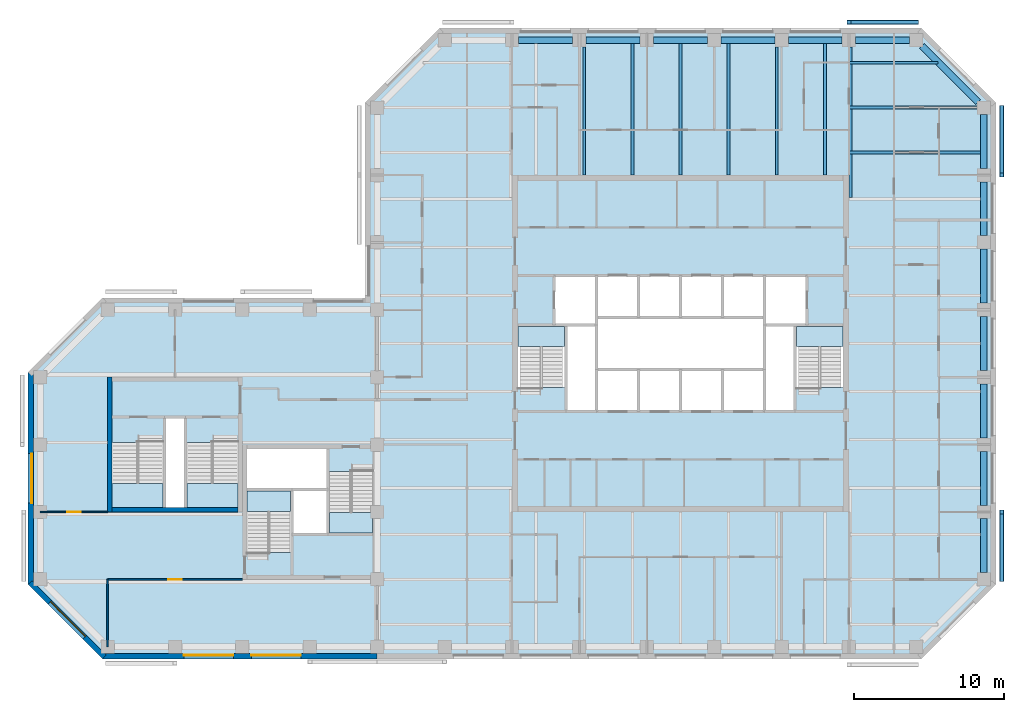
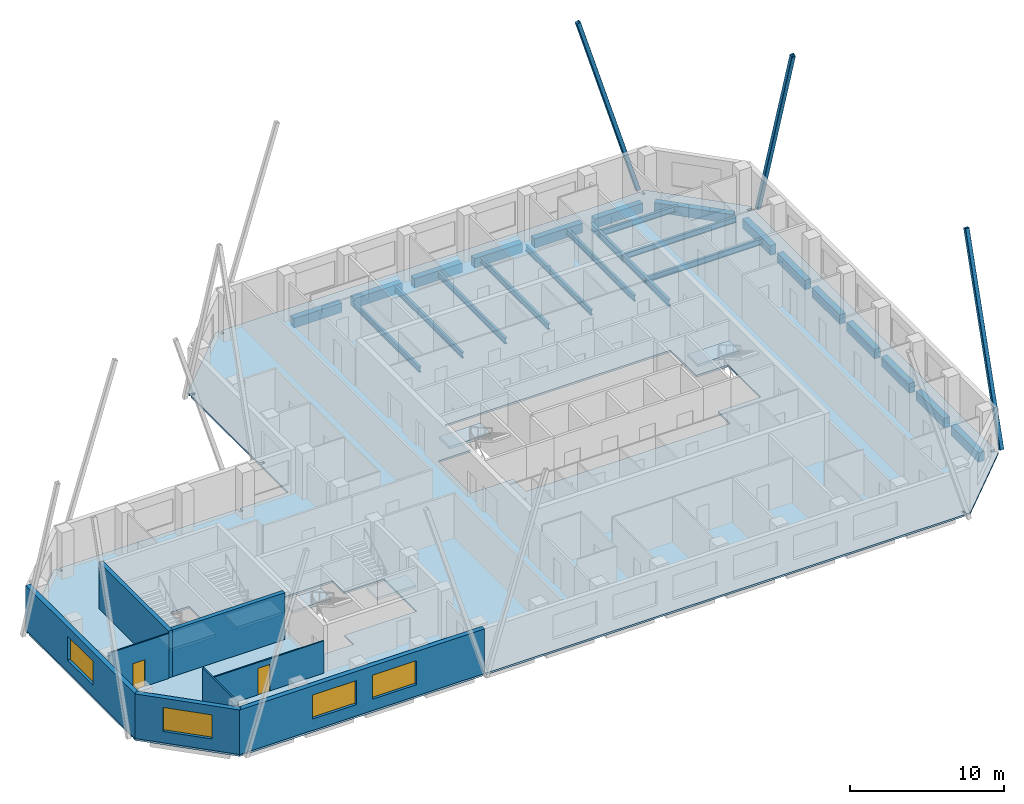
# One storey, part 2 of 10: 24 beams, 8 walls, 7 slabs, 4 windows, 3 members, 2 doors, 6 openings, 6 elements without a shape of their own.
"""IFC4 building model written with IfcOpenShell, lengths in metres."""

from ifc_helpers import new_model, si_unit, direction, frame, frame_2d, origin, origin_2d, place, context, subcontext, project, spatial, polyline, rectangle, hollow_rectangle, i_section, outline, extrude, material, layer, layer_set, constituent, constituent_set, material_profile, profile_set, type_object, element, fill, aggregate, save


model = new_model("IFC4")

# Units and contexts
model_context = context("Model", 3, precision=1e-05, world=origin(), true_north=direction((0.0, 1.0)))
body_context = subcontext(model_context, "Body", "Model", "MODEL_VIEW")
ifc_project = project(units=[si_unit("LENGTHUNIT", "METRE"), si_unit("AREAUNIT", "SQUARE_METRE"), si_unit("VOLUMEUNIT", "CUBIC_METRE"), si_unit("PLANEANGLEUNIT", "RADIAN"), si_unit("MASSUNIT", "GRAM", prefix="KILO")], contexts=[model_context])

# Site, building, storey
site_placement = place(None, origin())
site = spatial("IfcSite", under=ifc_project, at=site_placement, CompositionType="ELEMENT")
building_placement = place(site_placement, origin())
building = spatial("IfcBuilding", under=site, at=building_placement, Name="Quoin Convention Tower", CompositionType="ELEMENT")
storey_placement = place(building_placement, frame((0.0, 0.0, 188.39990234375)))
storey = spatial("IfcBuildingStorey", under=building, at=storey_placement, Name="L49", CompositionType="ELEMENT", Elevation=188.39990234375)

# Beams
ifc_material_1 = material(Name="Steel Grade 300", Category="steel")
ifc_material_profile_1 = material_profile(ifc_material_1, i_section(OverallWidth=0.18994140625, OverallDepth=0.4541015625, WebThickness=0.008544921875, FlangeThickness=0.0126953125, FilletRadius=0.011474609375, at=origin_2d()), Name="460UB67.1")
ifc_profile_set_1 = profile_set([ifc_material_profile_1], Name="Steel Grade 300")
beam_type_1 = type_object("IfcBeamType", Name="460UB67.1", PredefinedType="BEAM", material=ifc_profile_set_1)
beam_1_placement = place(storey_placement, frame((49.8212890625, 72.0, -0.376953125), z_axis=(0.0, 1.0, 0.0), x_axis=(-1.0, 0.0, 0.0)))
element("IfcBeam", 1, at=beam_1_placement, inside=storey, type_object=beam_type_1, Name="bm-L49-T1N1", PredefinedType="BEAM", context=body_context, shape_type="SweptSolid", body=[
    extrude(i_section(OverallWidth=0.18994140625, OverallDepth=0.4541015625, WebThickness=0.008544921875, FlangeThickness=0.0126953125, FilletRadius=0.011474609375, at=origin_2d()), origin(), (0.0, 0.0, 1.0), 8.550048828125),
])
for number, where, z_axis, x_axis, name in (
    (2, (53.03564453125, 72.0, -0.376953125), (0.0, 1.0, 0.0), (-1.0, 0.0, 0.0), "bm-L49-T1N2"),
    (3, (56.25, 72.0, -0.376953125), (0.0, 1.0, 0.0), (-1.0, 0.0, 0.0), "bm-L49-T1N3"),
    (4, (59.46435546875, 72.0, -0.376953125), (0.0, 1.0, 0.0), (-1.0, 0.0, 0.0), "bm-L49-T1N4"),
):
    element("IfcBeam", number, at=place(storey_placement, frame(where, z_axis=z_axis, x_axis=x_axis)), inside=storey, type_object=beam_type_1, Name=name, PredefinedType="BEAM", context=body_context, shape_type="SweptSolid", body=[
        extrude(i_section(OverallWidth=0.18994140625, OverallDepth=0.4541015625, WebThickness=0.008544921875, FlangeThickness=0.0126953125, FilletRadius=0.011474609375, at=origin_2d()), origin(), (0.0, 0.0, 1.0), 8.77490234375),
    ])
beam_2_placement = place(storey_placement, frame((62.6787109375, 72.0, -0.376953125), z_axis=(0.0, 1.0, 0.0), x_axis=(-1.0, 0.0, 0.0)))
element("IfcBeam", 5, at=beam_2_placement, inside=storey, type_object=beam_type_1, Name="bm-L49-T1N5", PredefinedType="BEAM", context=body_context, shape_type="SweptSolid", body=[
    extrude(i_section(OverallWidth=0.18994140625, OverallDepth=0.4541015625, WebThickness=0.008544921875, FlangeThickness=0.0126953125, FilletRadius=0.011474609375, at=origin_2d()), origin(), (0.0, 0.0, 1.0), 8.550048828125),
])
beam_3_placement = place(storey_placement, frame((65.892822265625, 72.0, -0.376953125), z_axis=(0.0, 1.0, 0.0), x_axis=(-1.0, 0.0, 0.0)))
element("IfcBeam", 6, at=beam_3_placement, inside=storey, type_object=beam_type_1, Name="bm-L49-T1N6", PredefinedType="BEAM", context=body_context, shape_type="SweptSolid", body=[
    extrude(i_section(OverallWidth=0.18994140625, OverallDepth=0.4541015625, WebThickness=0.008544921875, FlangeThickness=0.0126953125, FilletRadius=0.011474609375, at=origin_2d()), origin(), (0.0, 0.0, 1.0), 8.77490234375),
])
beam_4_placement = place(storey_placement, frame((67.5, 79.5, -0.376953125), z_axis=(1.0, 0.0, 0.0), x_axis=(0.0, 1.0, 0.0)))
element("IfcBeam", 7, at=beam_4_placement, inside=storey, type_object=beam_type_1, Name="bm-L49-T1NE0", PredefinedType="BEAM", context=body_context, shape_type="SweptSolid", body=[
    extrude(i_section(OverallWidth=0.18994140625, OverallDepth=0.4541015625, WebThickness=0.008544921875, FlangeThickness=0.0126953125, FilletRadius=0.011474609375, at=origin_2d()), origin(), (0.0, 0.0, 1.0), 5.935791015625),
])
beam_5_placement = place(storey_placement, frame((67.5, 76.5, -0.376953125), z_axis=(1.0, 0.0, 0.0), x_axis=(0.0, 1.0, 0.0)))
element("IfcBeam", 8, at=beam_5_placement, inside=storey, type_object=beam_type_1, Name="bm-L49-T1NE1", PredefinedType="BEAM", context=body_context, shape_type="SweptSolid", body=[
    extrude(i_section(OverallWidth=0.18994140625, OverallDepth=0.4541015625, WebThickness=0.008544921875, FlangeThickness=0.0126953125, FilletRadius=0.011474609375, at=origin_2d()), origin(), (0.0, 0.0, 1.0), 8.550048828125),
])
beam_6_placement = place(storey_placement, frame((67.5, 73.5, -0.376953125), z_axis=(1.0, 0.0, 0.0), x_axis=(0.0, 1.0, 0.0)))
element("IfcBeam", 9, at=beam_6_placement, inside=storey, type_object=beam_type_1, Name="bm-L49-T1NE2", PredefinedType="BEAM", context=body_context, shape_type="SweptSolid", body=[
    extrude(i_section(OverallWidth=0.18994140625, OverallDepth=0.4541015625, WebThickness=0.008544921875, FlangeThickness=0.0126953125, FilletRadius=0.011474609375, at=origin_2d()), origin(), (0.0, 0.0, 1.0), 8.77490234375),
])
ifc_material_profile_2 = material_profile(ifc_material_1, i_section(OverallWidth=0.208984375, OverallDepth=0.528076171875, WebThickness=0.009521484375, FlangeThickness=0.01318359375, FilletRadius=0.013916015625, at=origin_2d()), Name="530UB82.0")
ifc_profile_set_2 = profile_set([ifc_material_profile_2], Name="Steel Grade 300")
beam_type_2 = type_object("IfcBeamType", Name="530UB82.0", PredefinedType="BEAM", material=ifc_profile_set_2)
beam_7_placement = place(storey_placement, frame((67.595458984375, 80.550048828125, -0.413818359375), z_axis=(0.0, -1.0, 0.0), x_axis=(1.0, 0.0, 0.0)))
element("IfcBeam", 10, at=beam_7_placement, inside=storey, type_object=beam_type_2, Name="gir-L49-T1NE", PredefinedType="BEAM", context=body_context, shape_type="SweptSolid", body=[
    extrude(i_section(OverallWidth=0.208984375, OverallDepth=0.528076171875, WebThickness=0.009521484375, FlangeThickness=0.01318359375, FilletRadius=0.013916015625, at=origin_2d()), origin(), (0.0, 0.0, 1.0), 10.062255859375),
])

# Members
ifc_material_2 = material(Name="Steel C450L0", Category="steel")
ifc_material_profile_3 = material_profile(ifc_material_2, hollow_rectangle(XDim=0.300048828125, YDim=0.300048828125, WallThickness=0.012451171875, InnerFilletRadius=0.018798828125, OuterFilletRadius=0.03125, at=origin_2d()), Name="300x300x12.5SHS")
ifc_profile_set_3 = profile_set([ifc_material_profile_3], Name="Steel C450L0")
member_type = type_object("IfcMemberType", Name="Exposed brace 300x300x12.5SHS", PredefinedType="BRACE", material=ifc_profile_set_3)
for number, where, z_axis, x_axis, name in (
    (11, (72.0, 82.199951171875, -0.074951171875), (-0.290903487189, 0.0, 0.956752403259), (0.0, -1.0, 0.0), "brc-L49-72000_81000-67500_81000"),
    (12, (77.699951171875, 45.0, -0.074951171875), (0.0, 0.290903487189, 0.956752403259), (-1.0, 0.0, 0.0), "brc-L49-76500_45000-76500_49500"),
    (13, (77.699951171875, 76.5, -0.074951171875), (0.0, -0.290903487189, 0.956752403259), (1.0, 0.0, 0.0), "brc-L49-76500_72000-76500_76500"),
):
    element("IfcMember", number, at=place(storey_placement, frame(where, z_axis=z_axis, x_axis=x_axis)), inside=storey, type_object=member_type, Name=name, PredefinedType="BRACE", context=body_context, shape_type="SweptSolid", body=[
        extrude(hollow_rectangle(XDim=0.300048828125, YDim=0.300048828125, WallThickness=0.012451171875, InnerFilletRadius=0.018798828125, OuterFilletRadius=0.03125, at=origin_2d()), origin(), (0.0, 0.0, 1.0), 15.468994140625),
    ])

# Beams
ifc_material_3 = material(Name="Concrete C50", Category="concrete")
ifc_material_profile_4 = material_profile(ifc_material_3, rectangle(XDim=0.449951171875, YDim=0.75, at=origin_2d()), Name="RC 450x750")
ifc_profile_set_4 = profile_set([ifc_material_profile_4], Name="Concrete C50")
beam_type_3 = type_object("IfcBeamType", Name="RC 450x750 C50", PredefinedType="SPANDREL", material=ifc_profile_set_4)
for number, where, z_axis, x_axis, name in (
    (14, (76.5, 45.449951171875, -0.52490234375), (0.0, 1.0, 0.0), (-1.0, 0.0, 0.0), "spd-L49-76500_45000-76500_49500"),
    (15, (76.5, 49.949951171875, -0.52490234375), (0.0, 1.0, 0.0), (-1.0, 0.0, 0.0), "spd-L49-76500_49500-76500_54000"),
    (16, (76.5, 54.449951171875, -0.52490234375), (0.0, 1.0, 0.0), (-1.0, 0.0, 0.0), "spd-L49-76500_54000-76500_58500"),
    (17, (76.5, 58.949951171875, -0.52490234375), (0.0, 1.0, 0.0), (-1.0, 0.0, 0.0), "spd-L49-76500_58500-76500_63000"),
    (18, (76.5, 63.449951171875, -0.52490234375), (0.0, 1.0, 0.0), (-1.0, 0.0, 0.0), "spd-L49-76500_63000-76500_67500"),
    (19, (76.5, 67.949951171875, -0.52490234375), (0.0, 1.0, 0.0), (-1.0, 0.0, 0.0), "spd-L49-76500_67500-76500_72000"),
    (20, (76.5, 72.449951171875, -0.52490234375), (0.0, 1.0, 0.0), (-1.0, 0.0, 0.0), "spd-L49-76500_72000-76500_76500"),
):
    element("IfcBeam", number, at=place(storey_placement, frame(where, z_axis=z_axis, x_axis=x_axis)), inside=storey, type_object=beam_type_3, Name=name, PredefinedType="SPANDREL", context=body_context, shape_type="SweptSolid", body=[
        extrude(rectangle(XDim=0.449951171875, YDim=0.75, at=origin_2d()), origin(), (0.0, 0.0, 1.0), 3.60009765625),
    ])
beam_8_placement = place(storey_placement, frame((76.135009765625, 76.864990234375, -0.52490234375), z_axis=(-0.707106781187, 0.707106781187, 0.0), x_axis=(-0.707106781187, -0.707106781187, 0.0)))
element("IfcBeam", 21, at=beam_8_placement, inside=storey, type_object=beam_type_3, Name="spd-L49-76500_76500-72000_81000", PredefinedType="SPANDREL", context=body_context, shape_type="SweptSolid", body=[
    extrude(rectangle(XDim=0.449951171875, YDim=0.75, at=origin_2d()), origin(), (0.0, 0.0, 1.0), 5.33154296875),
])
for number, where, z_axis, x_axis, name in (
    (22, (71.550048828125, 81.0, -0.52490234375), (-1.0, 0.0, 0.0), (0.0, -1.0, 0.0), "spd-L49-72000_81000-67500_81000"),
    (23, (67.050048828125, 81.0, -0.52490234375), (-1.0, 0.0, 0.0), (0.0, -1.0, 0.0), "spd-L49-67500_81000-63000_81000"),
    (24, (62.550048828125, 81.0, -0.52490234375), (-1.0, 0.0, 0.0), (0.0, -1.0, 0.0), "spd-L49-63000_81000-58500_81000"),
    (25, (58.050048828125, 81.0, -0.52490234375), (-1.0, 0.0, 0.0), (0.0, -1.0, 0.0), "spd-L49-58500_81000-54000_81000"),
    (26, (53.550048828125, 81.0, -0.52490234375), (-1.0, 0.0, 0.0), (0.0, -1.0, 0.0), "spd-L49-54000_81000-49500_81000"),
    (27, (49.050048828125, 81.0, -0.52490234375), (-1.0, 0.0, 0.0), (0.0, -1.0, 0.0), "spd-L49-49500_81000-45000_81000"),
):
    element("IfcBeam", number, at=place(storey_placement, frame(where, z_axis=z_axis, x_axis=x_axis)), inside=storey, type_object=beam_type_3, Name=name, PredefinedType="SPANDREL", context=body_context, shape_type="SweptSolid", body=[
        extrude(rectangle(XDim=0.449951171875, YDim=0.75, at=origin_2d()), origin(), (0.0, 0.0, 1.0), 3.60009765625),
    ])

# Slab
ifc_material_4 = material(Name="Concrete C40", Category="concrete")
ifc_layer_1 = layer(ifc_material_4, 0.14990234375)
ifc_layer_set_1 = layer_set([ifc_layer_1], Name="Concrete C40")
slab_type_1 = type_object("IfcSlabType", Name="COMPOSITE SLAB 150 C40", PredefinedType="FLOOR", material=ifc_layer_set_1)
slab_1_placement = place(storey_placement, frame((0.0, 0.0, -0.14990234375)))
element("IfcSlab", 28, at=slab_1_placement, inside=storey, type_object=slab_type_1, Name="slb-L49", PredefinedType="FLOOR", context=body_context, shape_type="SweptSolid", body=[
    extrude(outline(polyline([(12.699951171875, 44.668701171875), (12.699951171875, 44.905029296875), (13.070068359375, 44.905029296875), (13.070068359375, 45.094970703125), (12.699951171875, 45.094970703125), (12.699951171875, 58.405029296875), (13.070068359375, 58.405029296875), (13.070068359375, 58.594970703125), (12.699951171875, 58.594970703125), (12.699951171875, 58.831298828125), (17.668701171875, 63.800048828125), (17.905029296875, 63.800048828125), (17.905029296875, 63.429931640625), (18.094970703125, 63.429931640625), (18.094970703125, 63.800048828125), (31.405029296875, 63.800048828125), (31.405029296875, 63.429931640625), (31.594970703125, 63.429931640625), (31.594970703125, 63.800048828125), (35.199951171875, 63.800048828125), (35.199951171875, 67.405029296875), (35.570068359375, 67.405029296875), (35.570068359375, 67.594970703125), (35.199951171875, 67.594970703125), (35.199951171875, 76.405029296875), (35.570068359375, 76.405029296875), (35.570068359375, 76.594970703125), (35.199951171875, 76.594970703125), (35.199951171875, 76.831298828125), (40.168701171875, 81.800048828125), (40.405029296875, 81.800048828125), (40.405029296875, 81.429931640625), (40.594970703125, 81.429931640625), (40.594970703125, 81.800048828125), (71.905029296875, 81.800048828125), (71.905029296875, 81.429931640625), (72.094970703125, 81.429931640625), (72.094970703125, 81.800048828125), (72.331298828125, 81.800048828125), (77.300048828125, 76.831298828125), (77.300048828125, 76.594970703125), (76.929931640625, 76.594970703125), (76.929931640625, 76.405029296875), (77.300048828125, 76.405029296875), (77.300048828125, 45.094970703125), (76.929931640625, 45.094970703125), (76.929931640625, 44.905029296875), (77.300048828125, 44.905029296875), (77.300048828125, 44.668701171875), (72.331298828125, 39.699951171875), (72.094970703125, 39.699951171875), (72.094970703125, 40.070068359375), (71.905029296875, 40.070068359375), (71.905029296875, 39.699951171875), (36.094970703125, 39.699951171875), (36.094970703125, 40.070068359375), (35.905029296875, 40.070068359375), (35.905029296875, 39.699951171875), (18.094970703125, 39.699951171875), (18.094970703125, 40.070068359375), (17.905029296875, 40.070068359375), (17.905029296875, 39.699951171875), (17.668701171875, 39.699951171875), (12.699951171875, 44.668701171875)]), holes=[polyline([(27.300048828125, 46.800537109375), (30.300048828125, 46.800537109375), (30.300048828125, 48.0), (32.699951171875, 48.0), (35.699951171875, 48.0), (35.699951171875, 52.199462890625), (32.699951171875, 52.199462890625), (32.699951171875, 53.699951171875), (27.300048828125, 53.699951171875), (27.300048828125, 51.0), (27.300048828125, 46.800537109375)]), polyline([(21.800048828125, 49.800048828125), (23.199951171875, 49.800048828125), (26.699951171875, 49.800048828125), (26.699951171875, 54.1494140625), (23.199951171875, 54.1494140625), (23.199951171875, 55.85009765625), (21.800048828125, 55.85009765625), (21.800048828125, 54.1494140625), (18.300048828125, 54.1494140625), (18.300048828125, 49.800048828125), (21.800048828125, 49.800048828125)]), polyline([(50.64990234375, 56.199951171875), (53.449951171875, 56.199951171875), (56.25, 56.199951171875), (59.050048828125, 56.199951171875), (61.85009765625, 56.199951171875), (63.89990234375, 56.199951171875), (63.89990234375, 57.800537109375), (67.10009765625, 57.800537109375), (67.10009765625, 62.0), (64.699951171875, 62.0), (64.699951171875, 65.300048828125), (61.85009765625, 65.300048828125), (59.050048828125, 65.300048828125), (56.25, 65.300048828125), (53.449951171875, 65.300048828125), (50.64990234375, 65.300048828125), (47.800048828125, 65.300048828125), (47.800048828125, 62.0), (45.39990234375, 62.0), (45.39990234375, 57.800537109375), (48.60009765625, 57.800537109375), (48.60009765625, 56.199951171875), (50.64990234375, 56.199951171875)])]), origin(), (0.0, 0.0, 1.0), 0.14990234375),
])

# Stair, slab
stair_type_1 = type_object("IfcStairType", Name="Exit stair two-flight 1350", PredefinedType="HALF_TURN_STAIR", material=ifc_material_4)
stair_1_placement = place(storey_placement, origin())
stair_1 = element("IfcStair", 29, at=stair_1_placement, inside=storey, type_object=stair_type_1, Name="SD1 L49", PredefinedType="HALF_TURN_STAIR")
ifc_layer_2 = layer(ifc_material_4, 0.199951171875)
ifc_layer_set_2 = layer_set([ifc_layer_2], Name="Concrete C40")
slab_type_2 = type_object("IfcSlabType", Name="Stair landing 200", PredefinedType="LANDING", material=ifc_layer_set_2)
slab_2_placement = place(storey_placement, frame((0.0, 0.0, 1.79248046875)))
slab_2 = element("IfcSlab", 30, at=slab_2_placement, type_object=slab_type_2, Name="ST1 landing 1", PredefinedType="LANDING", context=body_context, shape_type="SweptSolid", body=[
    extrude(outline(polyline([(45.39990234375, 60.550048828125), (48.5, 60.550048828125), (48.5, 61.89990234375), (45.39990234375, 61.89990234375), (45.39990234375, 60.550048828125)])), origin(), (0.0, 0.0, 1.0), 0.199951171875),
])
aggregate(stair_1, [slab_2])

stair_2_placement = place(storey_placement, origin())
stair_2 = element("IfcStair", 31, at=stair_2_placement, inside=storey, type_object=stair_type_1, Name="SD2 L49", PredefinedType="HALF_TURN_STAIR")
slab_3_placement = place(storey_placement, frame((0.0, 0.0, 1.79248046875)))
slab_3 = element("IfcSlab", 32, at=slab_3_placement, type_object=slab_type_2, Name="ST2 landing 1", PredefinedType="LANDING", context=body_context, shape_type="SweptSolid", body=[
    extrude(outline(polyline([(64.0, 60.550048828125), (67.10009765625, 60.550048828125), (67.10009765625, 61.89990234375), (64.0, 61.89990234375), (64.0, 60.550048828125)])), origin(), (0.0, 0.0, 1.0), 0.199951171875),
])
aggregate(stair_2, [slab_3])

stair_3_placement = place(storey_placement, origin())
stair_3 = element("IfcStair", 33, at=stair_3_placement, inside=storey, type_object=stair_type_1, Name="SD3 L49", PredefinedType="HALF_TURN_STAIR")
slab_4_placement = place(storey_placement, frame((0.0, 0.0, 1.79248046875)))
slab_4 = element("IfcSlab", 34, at=slab_4_placement, type_object=slab_type_2, Name="ST3 landing 1", PredefinedType="LANDING", context=body_context, shape_type="SweptSolid", body=[
    extrude(outline(polyline([(27.300048828125, 49.550048828125), (30.199951171875, 49.550048828125), (30.199951171875, 50.89990234375), (27.300048828125, 50.89990234375), (27.300048828125, 49.550048828125)])), origin(), (0.0, 0.0, 1.0), 0.199951171875),
])
aggregate(stair_3, [slab_4])

stair_4_placement = place(storey_placement, origin())
stair_4 = element("IfcStair", 35, at=stair_4_placement, inside=storey, type_object=stair_type_1, Name="SD4 L49", PredefinedType="HALF_TURN_STAIR")
slab_5_placement = place(storey_placement, frame((0.0, 0.0, 1.79248046875)))
slab_5 = element("IfcSlab", 36, at=slab_5_placement, type_object=slab_type_2, Name="ST4 landing 1", PredefinedType="LANDING", context=body_context, shape_type="SweptSolid", body=[
    extrude(outline(polyline([(35.699951171875, 49.449951171875), (32.800048828125, 49.449951171875), (32.800048828125, 48.10009765625), (35.699951171875, 48.10009765625), (35.699951171875, 49.449951171875)])), origin(), (0.0, 0.0, 1.0), 0.199951171875),
])
aggregate(stair_4, [slab_5])

stair_type_2 = type_object("IfcStairType", Name="Exit stair two-flight 1600", PredefinedType="HALF_TURN_STAIR", material=ifc_material_4)
stair_5_placement = place(storey_placement, origin())
stair_5 = element("IfcStair", 37, at=stair_5_placement, inside=storey, type_object=stair_type_2, Name="SD11 L49", PredefinedType="HALF_TURN_STAIR")
slab_6_placement = place(storey_placement, frame((0.0, 0.0, 1.79248046875)))
slab_6 = element("IfcSlab", 38, at=slab_6_placement, type_object=slab_type_2, Name="ST11 landing 1", PredefinedType="LANDING", context=body_context, shape_type="SweptSolid", body=[
    extrude(outline(polyline([(21.699951171875, 51.39990234375), (18.300048828125, 51.39990234375), (18.300048828125, 49.800048828125), (21.699951171875, 49.800048828125), (21.699951171875, 51.39990234375)])), origin(), (0.0, 0.0, 1.0), 0.199951171875),
])
aggregate(stair_5, [slab_6])

stair_6_placement = place(storey_placement, origin())
stair_6 = element("IfcStair", 39, at=stair_6_placement, inside=storey, type_object=stair_type_2, Name="SD12 L49", PredefinedType="HALF_TURN_STAIR")
slab_7_placement = place(storey_placement, frame((0.0, 0.0, 1.79248046875)))
slab_7 = element("IfcSlab", 40, at=slab_7_placement, type_object=slab_type_2, Name="ST12 landing 1", PredefinedType="LANDING", context=body_context, shape_type="SweptSolid", body=[
    extrude(outline(polyline([(26.699951171875, 51.39990234375), (23.300048828125, 51.39990234375), (23.300048828125, 49.800048828125), (26.699951171875, 49.800048828125), (26.699951171875, 51.39990234375)])), origin(), (0.0, 0.0, 1.0), 0.199951171875),
])
aggregate(stair_6, [slab_7])

# Wall, opening, window
ifc_material_5 = material(Name="Brick masonry", Category="masonry")
ifc_layer_3 = layer(ifc_material_5, 0.35009765625)
ifc_layer_set_3 = layer_set([ifc_layer_3], Name="Brick masonry")
wall_type_1 = type_object("IfcWallType", Name="Brick facade wall", PredefinedType="STANDARD", material=ifc_layer_set_3)
wall_1_placement = place(storey_placement, frame((12.875, 58.831298828125, 0.0), z_axis=(0.0, 0.0, 1.0), x_axis=(0.0, -1.0, 0.0)))
wall_1 = element("IfcWall", 41, at=wall_1_placement, inside=storey, type_object=wall_type_1, Name="fw-L49-13500_58500", PredefinedType="STANDARD", context=body_context, shape_type="SweptSolid", body=[
    extrude(rectangle(XDim=14.16259765625, YDim=0.35009765625, at=frame_2d((7.081298828125, 0.0))), origin(), (0.0, 0.0, 1.0), 3.525146484375),
])
opening_1_placement = place(wall_1_placement, frame((5.431396484375, 0.0, 0.89990234375)))
opening_1 = element("IfcOpeningElement", 42, at=opening_1_placement, cuts=wall_1, Name="Opening W-02", PredefinedType="OPENING", context=body_context, shape_type="SweptSolid", body=[
    extrude(rectangle(XDim=3.300048828125, YDim=1.89990234375, at=frame_2d((1.64990234375, 0.949951171875))), frame((0.0, 0.18505859375, 0.0), z_axis=(0.0, -1.0, 0.0), x_axis=(1.0, 0.0, 0.0)), (0.0, 0.0, 1.0), 0.3701171875),
])
ifc_material_6 = material(Name="Aluminium", Category="aluminium")
ifc_constituent_1 = constituent(ifc_material_6, Name="Frame")
ifc_material_7 = material(Name="Insulated glass", Category="glass")
ifc_constituent_2 = constituent(ifc_material_7, Name="Glazing")
ifc_constituent_set = constituent_set(constituents=[ifc_constituent_1, ifc_constituent_2], Name="Aluminium")
window_type = type_object("IfcWindowType", Name="Office window", PartitioningType="DOUBLE_PANEL_VERTICAL", PredefinedType="WINDOW", material=ifc_constituent_set)
window_1_placement = place(opening_1_placement, origin())
window_1 = element("IfcWindow", 43, at=window_1_placement, inside=storey, type_object=window_type, Name="win-L49-12875_51750", OverallHeight=1.89990234375, OverallWidth=3.300048828125, PartitioningType="SINGLE_PANEL", PredefinedType="WINDOW", context=body_context, shape_type="SweptSolid", body=[
    extrude(rectangle(XDim=3.300048828125, YDim=1.89990234375, at=frame_2d((1.64990234375, 0.949951171875))), frame((0.0, 0.0849609375, 0.0), z_axis=(0.0, -1.0, 0.0), x_axis=(1.0, 0.0, 0.0)), (0.0, 0.0, 1.0), 0.06005859375),
])
fill(opening_1, window_1)

wall_2_placement = place(storey_placement, frame((12.82373046875, 44.79248046875, 0.0), z_axis=(0.0, 0.0, 1.0), x_axis=(0.707106781187, -0.707106781187, 0.0)))
wall_2 = element("IfcWall", 44, at=wall_2_placement, inside=storey, type_object=wall_type_1, Name="fw-L49-13500_45000", PredefinedType="STANDARD", context=body_context, shape_type="SweptSolid", body=[
    extrude(rectangle(XDim=7.02685546875, YDim=0.35009765625, at=frame_2d((3.513427734375, 0.0))), origin(), (0.0, 0.0, 1.0), 3.525146484375),
])
opening_2_placement = place(wall_2_placement, frame((1.86328125, 0.0, 0.89990234375)))
opening_2 = element("IfcOpeningElement", 45, at=opening_2_placement, cuts=wall_2, Name="Opening W-02", PredefinedType="OPENING", context=body_context, shape_type="SweptSolid", body=[
    extrude(rectangle(XDim=3.300048828125, YDim=1.89990234375, at=frame_2d((1.64990234375, 0.949951171875))), frame((0.0, 0.18505859375, 0.0), z_axis=(0.0, -1.0, 0.0), x_axis=(1.0, 0.0, 0.0)), (0.0, 0.0, 1.0), 0.3701171875),
])
window_2_placement = place(opening_2_placement, origin())
window_2 = element("IfcWindow", 46, at=window_2_placement, inside=storey, type_object=window_type, Name="win-L49-15308_42308", OverallHeight=1.89990234375, OverallWidth=3.300048828125, PartitioningType="SINGLE_PANEL", PredefinedType="WINDOW", context=body_context, shape_type="SweptSolid", body=[
    extrude(rectangle(XDim=3.300048828125, YDim=1.89990234375, at=frame_2d((1.64990234375, 0.949951171875))), frame((0.0, 0.0849609375, 0.0), z_axis=(0.0, -1.0, 0.0), x_axis=(1.0, 0.0, 0.0)), (0.0, 0.0, 1.0), 0.06005859375),
])
fill(opening_2, window_2)

# Wall, openings, windows
wall_3_placement = place(storey_placement, frame((17.668701171875, 39.875, 0.0), z_axis=(0.0, 0.0, 1.0), x_axis=(1.0, 0.0, 0.0)))
wall_3 = element("IfcWall", 47, at=wall_3_placement, inside=storey, type_object=wall_type_1, Name="fw-L49-18000_40500", PredefinedType="STANDARD", context=body_context, shape_type="SweptSolid", body=[
    extrude(rectangle(XDim=18.331298828125, YDim=0.35009765625, at=frame_2d((9.16552734375, 0.0))), origin(), (0.0, 0.0, 1.0), 3.525146484375),
])
opening_3_placement = place(wall_3_placement, frame((5.431396484375, 0.0, 0.89990234375)))
opening_3 = element("IfcOpeningElement", 48, at=opening_3_placement, cuts=wall_3, Name="Opening W-02", PredefinedType="OPENING", context=body_context, shape_type="SweptSolid", body=[
    extrude(rectangle(XDim=3.300048828125, YDim=1.89990234375, at=frame_2d((1.64990234375, 0.949951171875))), frame((0.0, 0.18505859375, 0.0), z_axis=(0.0, -1.0, 0.0), x_axis=(1.0, 0.0, 0.0)), (0.0, 0.0, 1.0), 0.3701171875),
])
opening_4_placement = place(wall_3_placement, frame((9.931396484375, 0.0, 0.89990234375)))
opening_4 = element("IfcOpeningElement", 49, at=opening_4_placement, cuts=wall_3, Name="Opening W-02", PredefinedType="OPENING", context=body_context, shape_type="SweptSolid", body=[
    extrude(rectangle(XDim=3.300048828125, YDim=1.89990234375, at=frame_2d((1.64990234375, 0.949951171875))), frame((0.0, 0.18505859375, 0.0), z_axis=(0.0, -1.0, 0.0), x_axis=(1.0, 0.0, 0.0)), (0.0, 0.0, 1.0), 0.3701171875),
])
window_3_placement = place(opening_3_placement, origin())
window_3 = element("IfcWindow", 50, at=window_3_placement, inside=storey, type_object=window_type, Name="win-L49-24750_39875", OverallHeight=1.89990234375, OverallWidth=3.300048828125, PartitioningType="SINGLE_PANEL", PredefinedType="WINDOW", context=body_context, shape_type="SweptSolid", body=[
    extrude(rectangle(XDim=3.300048828125, YDim=1.89990234375, at=frame_2d((1.64990234375, 0.949951171875))), frame((0.0, 0.0849609375, 0.0), z_axis=(0.0, -1.0, 0.0), x_axis=(1.0, 0.0, 0.0)), (0.0, 0.0, 1.0), 0.06005859375),
])
fill(opening_3, window_3)
window_4_placement = place(opening_4_placement, origin())
window_4 = element("IfcWindow", 51, at=window_4_placement, inside=storey, type_object=window_type, Name="win-L49-29250_39875", OverallHeight=1.89990234375, OverallWidth=3.300048828125, PartitioningType="SINGLE_PANEL", PredefinedType="WINDOW", context=body_context, shape_type="SweptSolid", body=[
    extrude(rectangle(XDim=3.300048828125, YDim=1.89990234375, at=frame_2d((1.64990234375, 0.949951171875))), frame((0.0, 0.0849609375, 0.0), z_axis=(0.0, -1.0, 0.0), x_axis=(1.0, 0.0, 0.0)), (0.0, 0.0, 1.0), 0.06005859375),
])
fill(opening_4, window_4)

# Walls
ifc_layer_4 = layer(ifc_material_3, 0.300048828125)
ifc_layer_set_4 = layer_set([ifc_layer_4], Name="Concrete C50")
wall_type_2 = type_object("IfcWallType", Name="RC CORE WALL 300 C50", PredefinedType="SHEAR", material=ifc_layer_set_4)
wall_4_placement = place(storey_placement, frame((18.300048828125, 49.64990234375, 0.0), z_axis=(0.0, 0.0, 1.0), x_axis=(1.0, 0.0, 0.0)))
element("IfcWall", 52, at=wall_4_placement, inside=storey, type_object=wall_type_2, Name="cwl-P6-L49-S", PredefinedType="SHEAR", context=body_context, shape_type="SweptSolid", body=[
    extrude(rectangle(XDim=8.39990234375, YDim=0.300048828125, at=frame_2d((4.199951171875, 0.0))), origin(), (0.0, 0.0, 1.0), 3.7001953125),
])
wall_5_placement = place(storey_placement, frame((18.14990234375, 49.5, 0.0), z_axis=(0.0, 0.0, 1.0), x_axis=(0.0, 1.0, 0.0)))
element("IfcWall", 53, at=wall_5_placement, inside=storey, type_object=wall_type_2, Name="cwl-P6-L49-W", PredefinedType="SHEAR", context=body_context, shape_type="SweptSolid", body=[
    extrude(rectangle(XDim=9.0, YDim=0.300048828125, at=frame_2d((4.5, 0.0))), origin(), (0.0, 0.0, 1.0), 3.7001953125),
])

# Wall, opening, door
ifc_material_8 = material(Name="Plasterboard")
ifc_layer_5 = layer(ifc_material_8, 0.012451171875, Name="Finish")
ifc_material_9 = material(Name="Steel stud framing", Category="steel")
ifc_layer_6 = layer(ifc_material_9, 0.074951171875, Name="Structure")
ifc_layer_7 = layer(ifc_material_8, 0.012451171875, Name="Finish")
ifc_layer_set_5 = layer_set([ifc_layer_5, ifc_layer_6, ifc_layer_7], Name="Steel stud framing")
wall_type_3 = type_object("IfcWallType", Name="Stud partition 100", PredefinedType="PARTITIONING", material=ifc_layer_set_5)
wall_6_placement = place(storey_placement, frame((13.5, 49.5, 0.0), z_axis=(0.0, 0.0, 1.0), x_axis=(1.0, 0.0, 0.0)))
wall_6 = element("IfcWall", 54, at=wall_6_placement, inside=storey, type_object=wall_type_3, Name="pw-L49-w02", PredefinedType="PARTITIONING", context=body_context, shape_type="SweptSolid", body=[
    extrude(rectangle(XDim=4.5, YDim=0.10009765625, at=frame_2d((2.25, 0.0))), origin(), (0.0, 0.0, 1.0), 3.550048828125),
])
opening_5_placement = place(wall_6_placement, frame((1.800048828125, 0.0, 0.0)))
opening_5 = element("IfcOpeningElement", 55, at=opening_5_placement, cuts=wall_6, Name="Opening DOH6-35", PredefinedType="OPENING", context=body_context, shape_type="SweptSolid", body=[
    extrude(rectangle(XDim=0.89990234375, YDim=2.10009765625, at=frame_2d((0.449951171875, 1.050048828125))), frame((0.0, 0.06005859375, 0.0), z_axis=(0.0, -1.0, 0.0), x_axis=(1.0, 0.0, 0.0)), (0.0, 0.0, 1.0), 0.1201171875),
])
ifc_material_10 = material(Name="Steel door leaf", Category="steel")
door_type = type_object("IfcDoorType", Name="Office door 900 x 2100", OperationType="SINGLE_SWING_RIGHT", PredefinedType="DOOR", material=ifc_material_10)
door_1_placement = place(opening_5_placement, origin())
door_1 = element("IfcDoor", 56, at=door_1_placement, inside=storey, type_object=door_type, Name="dr-L49-w03", OperationType="SINGLE_SWING_RIGHT", OverallHeight=2.10009765625, OverallWidth=0.89990234375, PredefinedType="DOOR", context=body_context, shape_type="SweptSolid", body=[
    extrude(rectangle(XDim=0.89990234375, YDim=2.10009765625, at=frame_2d((0.449951171875, 1.050048828125))), frame((0.0, 0.02490234375, 0.0), z_axis=(0.0, -1.0, 0.0), x_axis=(1.0, 0.0, 0.0)), (0.0, 0.0, 1.0), 0.050048828125),
])
fill(opening_5, door_1)

# Wall
wall_7_placement = place(storey_placement, frame((18.0, 40.5, 0.0), z_axis=(0.0, 0.0, 1.0), x_axis=(0.0, 1.0, 0.0)))
element("IfcWall", 57, at=wall_7_placement, inside=storey, type_object=wall_type_3, Name="pw-L49-w03", PredefinedType="PARTITIONING", context=body_context, shape_type="SweptSolid", body=[
    extrude(rectangle(XDim=4.5, YDim=0.10009765625, at=frame_2d((2.25, 0.0))), origin(), (0.0, 0.0, 1.0), 3.550048828125),
])

# Wall, opening, door
ifc_layer_8 = layer(ifc_material_8, 0.012451171875, Name="Finish")
ifc_layer_9 = layer(ifc_material_9, 0.074951171875, Name="Structure")
ifc_layer_10 = layer(ifc_material_8, 0.012451171875, Name="Finish")
ifc_layer_set_6 = layer_set([ifc_layer_8, ifc_layer_9, ifc_layer_10], Name="Steel stud framing")
wall_type_4 = type_object("IfcWallType", Name="Stud partition 100 under beam 1000", PredefinedType="PARTITIONING", material=ifc_layer_set_6)
wall_8_placement = place(storey_placement, frame((18.0, 45.0, 0.0), z_axis=(0.0, 0.0, 1.0), x_axis=(1.0, 0.0, 0.0)))
wall_8 = element("IfcWall", 58, at=wall_8_placement, inside=storey, type_object=wall_type_4, Name="pw-L49-w04", PredefinedType="PARTITIONING", context=body_context, shape_type="SweptSolid", body=[
    extrude(rectangle(XDim=9.0, YDim=0.10009765625, at=frame_2d((4.5, 0.0))), origin(), (0.0, 0.0, 1.0), 2.550048828125),
])
opening_6_placement = place(wall_8_placement, frame((4.050048828125, 0.0, 0.0)))
opening_6 = element("IfcOpeningElement", 59, at=opening_6_placement, cuts=wall_8, Name="Opening DOH6-36", PredefinedType="OPENING", context=body_context, shape_type="SweptSolid", body=[
    extrude(rectangle(XDim=0.89990234375, YDim=2.10009765625, at=frame_2d((0.449951171875, 1.050048828125))), frame((0.0, 0.06005859375, 0.0), z_axis=(0.0, -1.0, 0.0), x_axis=(1.0, 0.0, 0.0)), (0.0, 0.0, 1.0), 0.1201171875),
])
door_2_placement = place(opening_6_placement, frame((0.89990234375, 0.0, 0.0), z_axis=(0.0, 0.0, 1.0), x_axis=(-1.0, 0.0, 0.0)))
door_2 = element("IfcDoor", 60, at=door_2_placement, inside=storey, type_object=door_type, Name="dr-L49-w04", OperationType="SINGLE_SWING_LEFT", OverallHeight=2.10009765625, OverallWidth=0.89990234375, PredefinedType="DOOR", context=body_context, shape_type="SweptSolid", body=[
    extrude(rectangle(XDim=0.89990234375, YDim=2.10009765625, at=frame_2d((0.449951171875, 1.050048828125))), frame((0.0, 0.02490234375, 0.0), z_axis=(0.0, -1.0, 0.0), x_axis=(1.0, 0.0, 0.0)), (0.0, 0.0, 1.0), 0.050048828125),
])
fill(opening_6, door_2)

save(model, "model.ifc")
